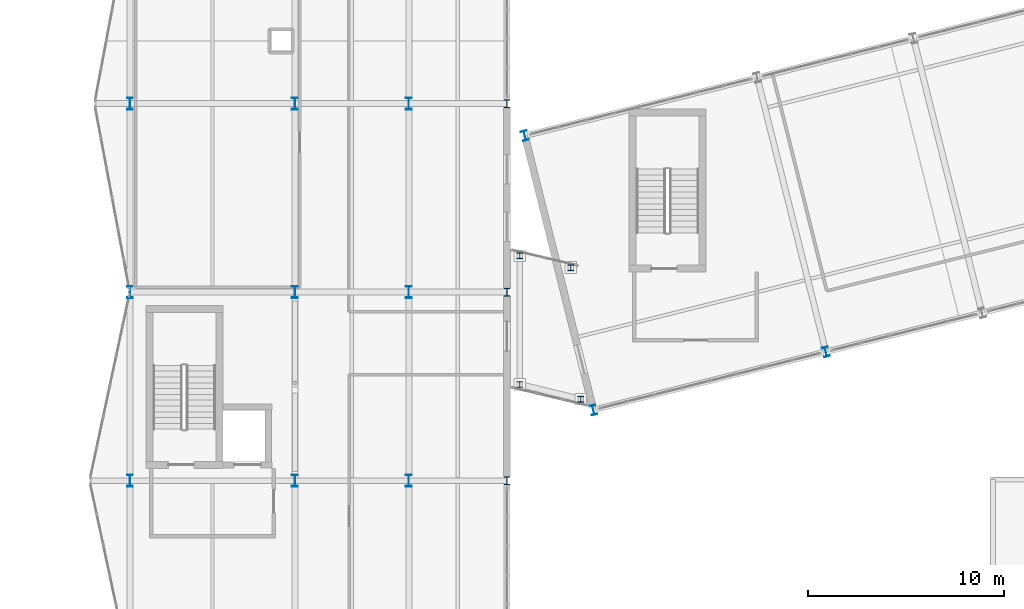
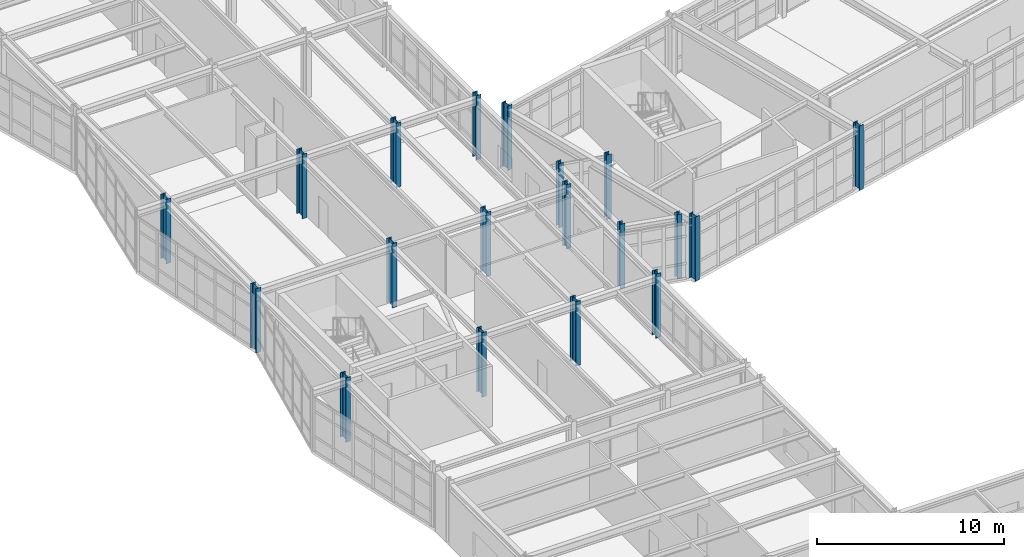
# One storey, part 3 of 99: 19 columns.
"""IFC4 building model written with IfcOpenShell, lengths in metres."""

from ifc_helpers import new_model, si_unit, direction, frame, origin, origin_2d, place, context, subcontext, project, spatial, i_section, extrude, material, material_profile, profile_set, type_object, element, save


model = new_model("IFC4")

# Units and contexts
model_context = context("Model", 3, precision=1e-05, world=origin(), true_north=direction((0.0, 1.0)))
body_context = subcontext(model_context, "Body", "Model", "MODEL_VIEW")
ifc_project = project(units=[si_unit("LENGTHUNIT", "METRE"), si_unit("AREAUNIT", "SQUARE_METRE"), si_unit("VOLUMEUNIT", "CUBIC_METRE"), si_unit("PLANEANGLEUNIT", "RADIAN"), si_unit("MASSUNIT", "GRAM", prefix="KILO")], contexts=[model_context])

# Site, building, storey
site_placement = place(None, origin())
site = spatial("IfcSite", under=ifc_project, at=site_placement, CompositionType="ELEMENT")
building_placement = place(site_placement, origin())
building = spatial("IfcBuilding", under=site, at=building_placement, Name="Nordkorset Police Headquarters", CompositionType="ELEMENT")
storey_placement = place(building_placement, frame((0.0, 0.0, 5.25)))
storey = spatial("IfcBuildingStorey", under=building, at=storey_placement, Name="L01", CompositionType="ELEMENT", Elevation=5.25)

# Columns
ifc_material_1 = material(Name="Steel S355J2", Category="steel")
ifc_material_profile_1 = material_profile(ifc_material_1, i_section(OverallWidth=0.300048828125, OverallDepth=0.300048828125, WebThickness=0.010986328125, FlangeThickness=0.01904296875, FilletRadius=0.027099609375, at=origin_2d()), Name="HEB 300")
ifc_profile_set_1 = profile_set([ifc_material_profile_1], Name="Steel S355J2")
column_type_1 = type_object("IfcColumnType", Name="Col_HEB_300", PredefinedType="COLUMN", material=ifc_profile_set_1)
for number, where, z_axis, x_axis, name in (
    (1, (19.85009765625, 49.85009765625, 0.0), (0.0, 0.0, 1.0), (1.0, 0.0, 0.0), "Courtyard Link Bridge Column BRG_W_N L01"),
    (2, (19.85009765625, 43.300048828125, 0.0), (0.0, 0.0, 1.0), (1.0, 0.0, 0.0), "Courtyard Link Bridge Column BRG_W_S L01"),
    (3, (22.449951171875, 49.25, 0.0), (0.0, 0.0, 1.0), (1.0, 0.0, 0.0), "Courtyard Link Bridge Column BRG_W_E1 L01"),
    (4, (22.949951171875, 42.550048828125, 0.0), (0.0, 0.0, 1.0), (1.0, 0.0, 0.0), "Courtyard Link Bridge Column BRG_W_E2 L01"),
):
    element("IfcColumn", number, at=place(storey_placement, frame(where, z_axis=z_axis, x_axis=x_axis)), inside=storey, type_object=column_type_1, Name=name, PredefinedType="COLUMN", context=body_context, shape_type="SweptSolid", body=[
        extrude(i_section(OverallWidth=0.300048828125, OverallDepth=0.300048828125, WebThickness=0.010986328125, FlangeThickness=0.01904296875, FilletRadius=0.027099609375, at=origin_2d()), origin(), (0.0, 0.0, 1.0), 4.199951171875),
    ])
ifc_material_2 = material(Name="Steel S355J2", Category="steel")
ifc_material_profile_2 = material_profile(ifc_material_2, i_section(OverallWidth=0.300048828125, OverallDepth=0.39990234375, WebThickness=0.013427734375, FlangeThickness=0.02392578125, FilletRadius=0.027099609375, at=origin_2d()), Name="HEB 400")
ifc_profile_set_2 = profile_set([ifc_material_profile_2], Name="Steel S355J2")
column_type_2 = type_object("IfcColumnType", Name="Col_HEB_400", PredefinedType="COLUMN", material=ifc_profile_set_2)
for number, where, z_axis, x_axis, name in (
    (5, (19.199951171875, 38.39990234375, 0.0), (0.0, 0.0, 1.0), (1.0, 0.0, 0.0), "Structural Column V3_X3_1 L01"),
    (6, (19.199951171875, 48.0, 0.0), (0.0, 0.0, 1.0), (1.0, 0.0, 0.0), "Structural Column V3_X3_2 L01"),
    (7, (19.199951171875, 57.60009765625, 0.0), (0.0, 0.0, 1.0), (1.0, 0.0, 0.0), "Structural Column V3_X3_3 L01"),
):
    element("IfcColumn", number, at=place(storey_placement, frame(where, z_axis=z_axis, x_axis=x_axis)), inside=storey, type_object=column_type_2, Name=name, PredefinedType="COLUMN", context=body_context, shape_type="SweptSolid", body=[
        extrude(i_section(OverallWidth=0.300048828125, OverallDepth=0.39990234375, WebThickness=0.013427734375, FlangeThickness=0.02392578125, FilletRadius=0.027099609375, at=origin_2d()), origin(), (0.0, 0.0, 1.0), 4.199951171875),
    ])
ifc_material_3 = material(Name="Steel S355J2", Category="steel")
ifc_material_profile_3 = material_profile(ifc_material_3, i_section(OverallWidth=0.300048828125, OverallDepth=0.5, WebThickness=0.014404296875, FlangeThickness=0.028076171875, FilletRadius=0.027099609375, at=origin_2d()), Name="HEB 500")
ifc_profile_set_3 = profile_set([ifc_material_profile_3], Name="Steel S355J2")
column_type_3 = type_object("IfcColumnType", Name="Col_HEB_500", PredefinedType="COLUMN", material=ifc_profile_set_3)
for number, where, z_axis, x_axis, name in (
    (8, (23.60009765625, 42.0, 0.0), (0.0, 0.0, 1.0), (0.970142500145, 0.242535625038, 0.0), "Structural Column V4_U0_V0 L01"),
    (9, (20.107421875, 55.969970703125, 0.0), (0.0, 0.0, 1.0), (0.970142500145, 0.242535625038, 0.0), "Structural Column V4_U0_V1 L01"),
    (10, (35.435791015625, 44.958984375, 0.0), (0.0, 0.0, 1.0), (0.970142500145, 0.242535625038, 0.0), "Structural Column V4_U1_V0 L01"),
):
    element("IfcColumn", number, at=place(storey_placement, frame(where, z_axis=z_axis, x_axis=x_axis)), inside=storey, type_object=column_type_3, Name=name, PredefinedType="COLUMN", context=body_context, shape_type="SweptSolid", body=[
        extrude(i_section(OverallWidth=0.300048828125, OverallDepth=0.5, WebThickness=0.014404296875, FlangeThickness=0.028076171875, FilletRadius=0.027099609375, at=origin_2d()), origin(), (0.0, 0.0, 1.0), 4.199951171875),
    ])
ifc_material_4 = material(Name="Steel S355J2", Category="steel")
ifc_material_profile_4 = material_profile(ifc_material_4, i_section(OverallWidth=0.300048828125, OverallDepth=0.60009765625, WebThickness=0.015380859375, FlangeThickness=0.030029296875, FilletRadius=0.027099609375, at=origin_2d()), Name="HEB 600")
ifc_profile_set_4 = profile_set([ifc_material_profile_4], Name="Steel S355J2")
column_type_4 = type_object("IfcColumnType", Name="Col_HEB_600", PredefinedType="COLUMN", material=ifc_profile_set_4)
for number, where, z_axis, x_axis, name in (
    (11, (0.0, 38.39990234375, 0.0), (0.0, 0.0, 1.0), (1.0, 0.0, 0.0), "Structural Column V3_X0_1 L01"),
    (12, (8.39990234375, 38.39990234375, 0.0), (0.0, 0.0, 1.0), (1.0, 0.0, 0.0), "Structural Column V3_X1_1 L01"),
    (13, (14.199951171875, 38.39990234375, 0.0), (0.0, 0.0, 1.0), (1.0, 0.0, 0.0), "Structural Column V3_X2_1 L01"),
    (14, (0.0, 48.0, 0.0), (0.0, 0.0, 1.0), (1.0, 0.0, 0.0), "Structural Column V3_X0_2 L01"),
    (15, (8.39990234375, 48.0, 0.0), (0.0, 0.0, 1.0), (1.0, 0.0, 0.0), "Structural Column V3_X1_2 L01"),
    (16, (14.199951171875, 48.0, 0.0), (0.0, 0.0, 1.0), (1.0, 0.0, 0.0), "Structural Column V3_X2_2 L01"),
    (17, (0.0, 57.60009765625, 0.0), (0.0, 0.0, 1.0), (1.0, 0.0, 0.0), "Structural Column V3_X0_3 L01"),
    (18, (8.39990234375, 57.60009765625, 0.0), (0.0, 0.0, 1.0), (1.0, 0.0, 0.0), "Structural Column V3_X1_3 L01"),
    (19, (14.199951171875, 57.60009765625, 0.0), (0.0, 0.0, 1.0), (1.0, 0.0, 0.0), "Structural Column V3_X2_3 L01"),
):
    element("IfcColumn", number, at=place(storey_placement, frame(where, z_axis=z_axis, x_axis=x_axis)), inside=storey, type_object=column_type_4, Name=name, PredefinedType="COLUMN", context=body_context, shape_type="SweptSolid", body=[
        extrude(i_section(OverallWidth=0.300048828125, OverallDepth=0.60009765625, WebThickness=0.015380859375, FlangeThickness=0.030029296875, FilletRadius=0.027099609375, at=origin_2d()), origin(), (0.0, 0.0, 1.0), 4.199951171875),
    ])

save(model, "model.ifc")
